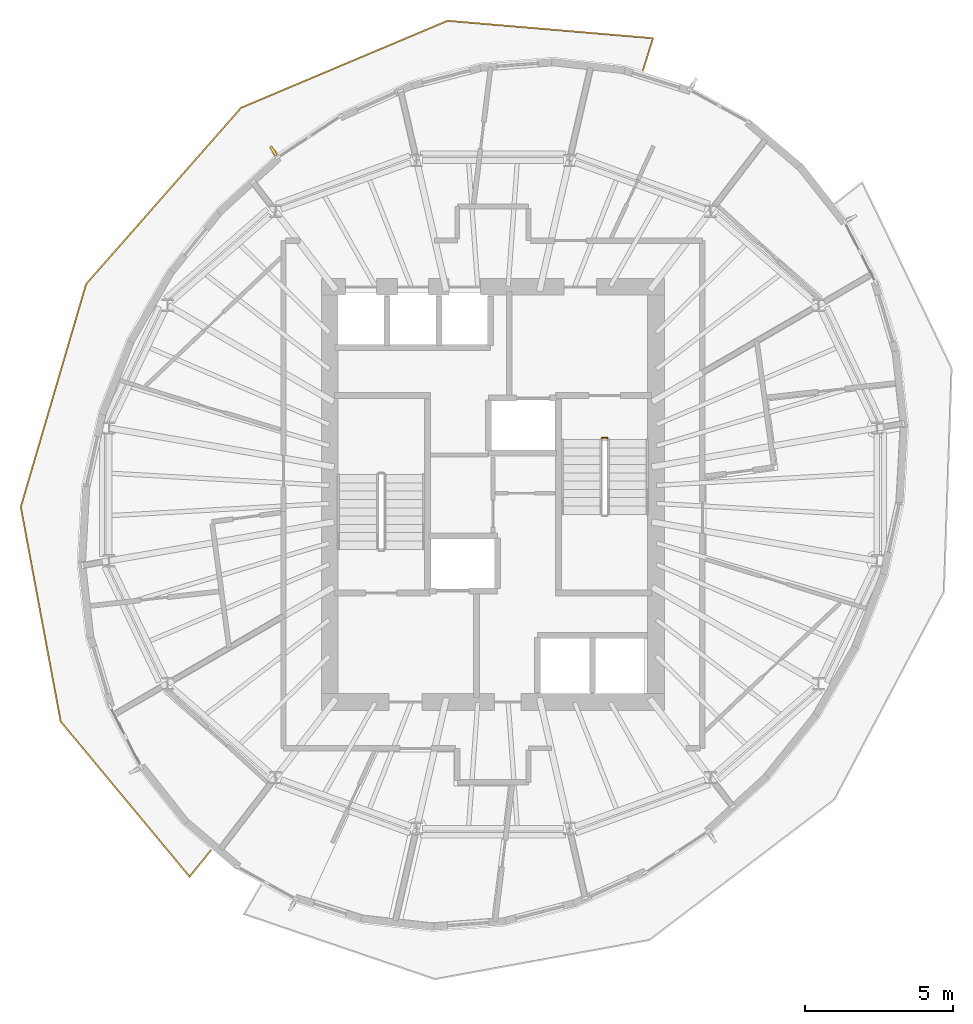
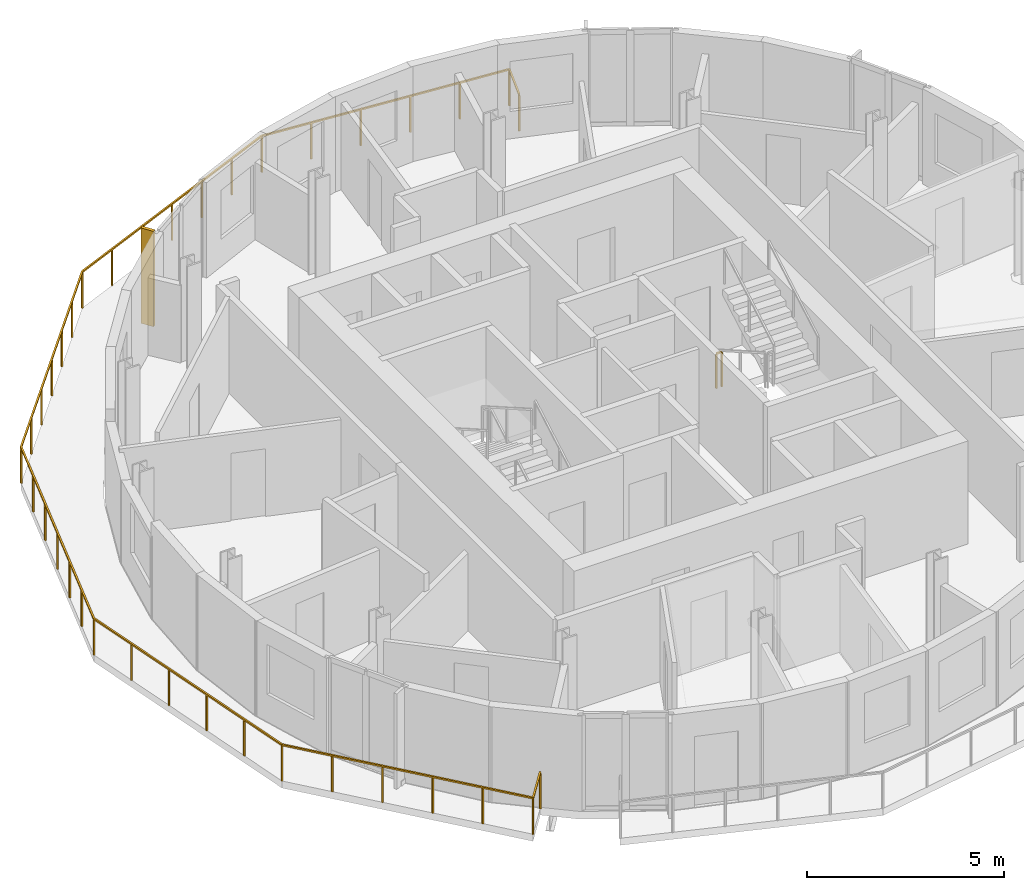
# One storey, part 10 of 11: 2 railings, 1 shading device.
"""IFC4 building model written with IfcOpenShell, lengths in metres."""

import ifcopenshell
import ifcopenshell.guid

model = None  # the IFC model being written
_history = None  # IfcOwnerHistory: only IFC2X3 demands one
_inside = {}  # id of a spatial element -> (the spatial element, [elements in it])
_under = {}  # id of a project, library or spatial element -> (it, [spatial elements below it])
_declared = {}  # id of a project -> (the project, [libraries it declares])
_typed = {}  # id of a type object -> (the type object, [elements of that type])
_made_of = {}  # id of a material, layer set ... -> (it, [elements and type objects made of it])


def new_model(schema):
    """Start an empty IFC model of exactly this schema.

    Asked for "IFC4X3", IfcOpenShell would pick the latest addendum, in which some entities
    have other attributes; the version numbers below select the first issue.
    IFC2X3 requires an IfcOwnerHistory on every rooted entity: one is made here for all.
    """
    global model, _history
    if schema == "IFC4X3":
        model = ifcopenshell.file(schema_version=(4, 3, 0, 0))
    else:
        model = ifcopenshell.file(schema=schema)
    _inside.clear()
    _under.clear()
    _declared.clear()
    _typed.clear()
    _made_of.clear()
    _history = None
    if model.schema == "IFC2X3":
        org = make("IfcOrganization", Name="unknown")
        user = make(
            "IfcPersonAndOrganization",
            ThePerson=make("IfcPerson", FamilyName="unknown"),
            TheOrganization=org,
        )
        app = make(
            "IfcApplication",
            ApplicationDeveloper=org,
            Version="unknown",
            ApplicationFullName="unknown",
            ApplicationIdentifier="unknown",
        )
        _history = make(
            "IfcOwnerHistory",
            OwningUser=user,
            OwningApplication=app,
            ChangeAction="ADDED",
            CreationDate=0,
        )
    return model


def make(cls, **values):
    """One entity of the class cls with the attributes given. An attribute that is None is left unset."""
    return model.create_entity(
        cls, **{name: value for name, value in values.items() if value is not None}
    )


def rooted(cls, **values):
    """An entity with a GlobalId (a new one), such as an element, a storey or a relation."""
    return make(cls, GlobalId=ifcopenshell.guid.new(), OwnerHistory=_history, **values)


def si_unit(unit_type, name, prefix=None):
    """IfcSIUnit, for example si_unit("LENGTHUNIT", "METRE", prefix="MILLI")."""
    return make("IfcSIUnit", UnitType=unit_type, Prefix=prefix, Name=name)


def assignment(units):
    """IfcUnitAssignment: the units of a project."""
    return None if units is None else make("IfcUnitAssignment", Units=units)


def point(xyz):
    """IfcCartesianPoint."""
    return None if xyz is None else make("IfcCartesianPoint", Coordinates=xyz)


def direction(xyz):
    """IfcDirection."""
    return None if xyz is None else make("IfcDirection", DirectionRatios=xyz)


def frame(location, z_axis=None, x_axis=None):
    """IfcAxis2Placement3D, a coordinate frame: its origin and axes. An axis left out is left unset."""
    return make(
        "IfcAxis2Placement3D",
        Location=point(location),
        Axis=direction(z_axis),
        RefDirection=direction(x_axis),
    )


def frame_2d(location, x_axis=None):
    """IfcAxis2Placement2D, a coordinate frame in the plane: its origin and x axis."""
    return make(
        "IfcAxis2Placement2D", Location=point(location), RefDirection=direction(x_axis)
    )


def origin():
    """The frame at (0, 0, 0) with its axes left unset."""
    return frame((0.0, 0.0, 0.0))


def origin_2d():
    """The frame at (0, 0) in the plane with its x axis left unset."""
    return frame_2d((0.0, 0.0))


def place(relative_to, where):
    """IfcLocalPlacement: puts the frame where relative to a parent placement (None: the world)."""
    return make(
        "IfcLocalPlacement", PlacementRelTo=relative_to, RelativePlacement=where
    )


def context(
    kind, dimensions, precision=None, world=None, true_north=None, identifier=None
):
    """IfcGeometricRepresentationContext, for example the 3D "Model" context."""
    return make(
        "IfcGeometricRepresentationContext",
        ContextIdentifier=identifier,
        ContextType=kind,
        CoordinateSpaceDimension=dimensions,
        Precision=precision,
        WorldCoordinateSystem=world,
        TrueNorth=true_north,
    )


def subcontext(parent, identifier, kind, view, scale=None):
    """IfcGeometricRepresentationSubContext, for example "Body" below "Model"."""
    return make(
        "IfcGeometricRepresentationSubContext",
        ContextIdentifier=identifier,
        ContextType=kind,
        ParentContext=parent,
        TargetScale=scale,
        TargetView=view,
    )


def project(units=None, contexts=None):
    """IfcProject with its units and contexts."""
    return rooted(
        "IfcProject",
        Name="project",
        RepresentationContexts=contexts,
        UnitsInContext=assignment(units),
    )


def spatial(cls, under=None, at=None, **own):
    """A site, building, storey or space (cls), placed at a placement, below another one or the project."""
    s = rooted(cls, ObjectPlacement=at, **own)
    if under is not None:
        _under.setdefault(under.id(), (under, []))[1].append(s)
    return s


def profile(cls, at=None, kind="AREA", **sizes):
    """A parametric profile (cls). Its sizes go by their IFC names, for example OverallWidth=200.0."""
    return make(cls, ProfileType=kind, Position=at, **sizes)


def rectangle(**sizes):
    """IfcRectangleProfileDef."""
    return profile("IfcRectangleProfileDef", **sizes)


def extrude(swept, where, along, depth):
    """IfcExtrudedAreaSolid: the profile swept, set in the frame where, extruded along a direction by depth."""
    return make(
        "IfcExtrudedAreaSolid",
        SweptArea=swept,
        Position=where,
        ExtrudedDirection=direction(along),
        Depth=depth,
    )


def shape(context_of_items, identifier, shape_type, items):
    """IfcShapeRepresentation: the items that make up one representation, for example the "Body"."""
    return make(
        "IfcShapeRepresentation",
        ContextOfItems=context_of_items,
        RepresentationIdentifier=identifier,
        RepresentationType=shape_type,
        Items=items,
    )


def material(Name=None, Category=None):
    """IfcMaterial."""
    return make("IfcMaterial", Name=Name, Category=Category)


def layer(
    of_material, thickness, ventilated=None, Name=None, Category=None, Priority=None
):
    """IfcMaterialLayer: one layer of a wall or slab, of a material (None: an air gap)."""
    return make(
        "IfcMaterialLayer",
        Material=of_material,
        LayerThickness=thickness,
        IsVentilated=ventilated,
        Name=Name,
        Category=Category,
        Priority=Priority,
    )


def layer_set(layers, Name=None):
    """IfcMaterialLayerSet."""
    return make("IfcMaterialLayerSet", MaterialLayers=layers, LayerSetName=Name)


def made_of(thing, what):
    """Note that an element or type object is made of a material, layer set ...; save() writes the relation."""
    if what is not None:
        _made_of.setdefault(what.id(), (what, []))[1].append(thing)
    return thing


def type_object(cls, material=None, **own):
    """A type object (cls), such as IfcWallType, which elements share."""
    return made_of(rooted(cls, **own), material)


def element(
    cls,
    number,
    at=None,
    inside=None,
    cuts=None,
    type_object=None,
    material=None,
    context=None,
    identifier="Body",
    shape_type=None,
    held_by="IfcProductDefinitionShape",
    body=None,
    shapes=None,
    **own,
):
    """One element of the class cls, such as IfcWall. Its Tag is "e" and its number.

    at: its placement. inside: the storey or other place that contains it. cuts: it is an
    opening in that element (IfcRelVoidsElement). A single representation is given by context,
    identifier, shape_type and body (its items); several are given by shapes. held_by: the class
    of the entity that holds the representations. save() writes the other relations.
    """
    e = rooted(cls, Tag="e%d" % number, ObjectPlacement=at, **own)
    if body is not None:
        shapes = [shape(context, identifier, shape_type, body)]
    if shapes is not None:
        e.Representation = make(held_by, Representations=shapes)
    if inside is not None:
        _inside.setdefault(inside.id(), (inside, []))[1].append(e)
    if cuts is not None:
        rooted(
            "IfcRelVoidsElement", RelatingBuildingElement=cuts, RelatedOpeningElement=e
        )
    if type_object is not None:
        _typed.setdefault(type_object.id(), (type_object, []))[1].append(e)
    return made_of(e, material)


def aggregate(whole, parts):
    """IfcRelAggregates: a whole, such as a stair, and the parts it consists of."""
    return rooted("IfcRelAggregates", RelatingObject=whole, RelatedObjects=parts)


def save(model, path):
    """Write the relations noted so far, then the file.

    IfcRelAggregates (storeys below a building ...), IfcRelContainedInSpatialStructure (elements
    in a storey), IfcRelDefinesByType, IfcRelAssociatesMaterial and IfcRelDeclares: one each for
    every whole, place, type object, material and project.
    """
    for whole, parts in _under.values():
        aggregate(whole, parts)
    for where, things in _inside.values():
        rooted(
            "IfcRelContainedInSpatialStructure",
            RelatedElements=things,
            RelatingStructure=where,
        )
    for kind, things in _typed.values():
        rooted("IfcRelDefinesByType", RelatedObjects=things, RelatingType=kind)
    for what, things in _made_of.values():
        rooted("IfcRelAssociatesMaterial", RelatedObjects=things, RelatingMaterial=what)
    for by, libraries in _declared.values():
        rooted("IfcRelDeclares", RelatingContext=by, RelatedDefinitions=libraries)
    model.write(path)


model = new_model("IFC4")

# Units and contexts
model_context = context("Model", 3, precision=1e-05, world=origin(), true_north=direction((0.0, 1.0)))
body_context = subcontext(model_context, "Body", "Model", "MODEL_VIEW")
ifc_project = project(units=[si_unit("LENGTHUNIT", "METRE"), si_unit("AREAUNIT", "SQUARE_METRE"), si_unit("VOLUMEUNIT", "CUBIC_METRE"), si_unit("PLANEANGLEUNIT", "RADIAN"), si_unit("MASSUNIT", "GRAM", prefix="KILO")], contexts=[model_context])

# Site, building, storey
site_placement = place(None, origin())
site = spatial("IfcSite", under=ifc_project, at=site_placement, CompositionType="ELEMENT")
building_placement = place(site_placement, origin())
building = spatial("IfcBuilding", under=site, at=building_placement, Name="Veldorim Arch Residences", CompositionType="ELEMENT")
storey_placement = place(building_placement, frame((0.0, 0.0, 223.840087890625)))
storey = spatial("IfcBuildingStorey", under=building, at=storey_placement, Name="L67", CompositionType="ELEMENT", Elevation=223.840087890625)

# Railings
ifc_material_1 = material(Name="Aluminium", Category="aluminium")
railing_type_1 = type_object("IfcRailingType", Name="Balcony & Terrace Laminated Glass Balustrade 1150", PredefinedType="BALUSTRADE", material=ifc_material_1)
railing_1_placement = place(storey_placement, frame((37.05712890625, 38.286865234375, 0.0)))
element("IfcRailing", 1, at=railing_1_placement, inside=storey, type_object=railing_type_1, Name="L67 crescent balcony safety balustrade A", PredefinedType="BALUSTRADE", context=body_context, shape_type="SweptSolid", body=[
    extrude(rectangle(XDim=0.048095703125, YDim=0.048095703125, at=origin_2d()), frame((0.0, 0.0, 1.1259765625), z_axis=(0.298274993136, 0.954479978035, 0.0), x_axis=(-0.954479978035, 0.298274993136, 0.0)), (0.0, 0.0, 1.0), 1.14990234375),
    extrude(rectangle(XDim=0.048095703125, YDim=0.048095703125, at=origin_2d()), frame((0.343017578125, 1.09765625, 1.1259765625), z_axis=(-0.996398511951, 0.084793899432, 0.0), x_axis=(-0.084793899432, -0.996398511951, 0.0)), (0.0, 0.0, 1.0), 6.956298828125),
    extrude(rectangle(XDim=0.048095703125, YDim=0.048095703125, at=origin_2d()), frame((-6.588134765625, 1.6875, 1.1259765625), z_axis=(-0.921610434895, -0.388116227815, 0.0), x_axis=(0.388116227815, -0.921610434895, 0.0)), (0.0, 0.0, 1.0), 7.555419921875),
    extrude(rectangle(XDim=0.048095703125, YDim=0.048095703125, at=origin_2d()), frame((-13.55126953125, -1.244873046875, 1.1259765625), z_axis=(-0.660087723453, -0.751188523173, 0.0), x_axis=(0.751188523173, -0.660087723453, 0.0)), (0.0, 0.0, 1.0), 7.919189453125),
    extrude(rectangle(XDim=0.048095703125, YDim=0.048095703125, at=origin_2d()), frame((-18.778564453125, -7.193603515625, 1.1259765625), z_axis=(-0.281281819309, -0.959625207113, 0.0), x_axis=(0.959625207113, -0.281281819309, 0.0)), (0.0, 0.0, 1.0), 7.83154296875),
    extrude(rectangle(XDim=0.048095703125, YDim=0.048095703125, at=origin_2d()), frame((-20.9814453125, -14.708984375, 1.1259765625), z_axis=(0.18281765772, -0.983146837469, 0.0), x_axis=(0.983146837469, 0.18281765772, 0.0)), (0.0, 0.0, 1.0), 7.35693359375),
    extrude(rectangle(XDim=0.048095703125, YDim=0.048095703125, at=origin_2d()), frame((-19.636474609375, -21.94189453125, 1.1259765625), z_axis=(0.638793821761, -0.769377965164, 0.0), x_axis=(0.769377965164, 0.638793821761, 0.0)), (0.0, 0.0, 1.0), 6.80908203125),
    extrude(rectangle(XDim=0.048095703125, YDim=0.048095703125, at=origin_2d()), frame((-15.286865234375, -27.1806640625, 1.1259765625), z_axis=(0.62877677266, 0.777585860316, 0.0), x_axis=(-0.777585860316, 0.62877677266, 0.0)), (0.0, 0.0, 1.0), 1.150146484375),
    extrude(rectangle(XDim=0.0419921875, YDim=0.0419921875, at=origin_2d()), origin(), (0.0, 0.0, 1.0), 1.101806640625),
    extrude(rectangle(XDim=0.0419921875, YDim=0.0419921875, at=origin_2d()), frame((0.343017578125, 1.09765625, 0.0)), (0.0, 0.0, 1.0), 1.101806640625),
    extrude(rectangle(XDim=0.0419921875, YDim=0.0419921875, at=origin_2d()), frame((-1.043212890625, 1.215576171875, 0.0)), (0.0, 0.0, 1.0), 1.101806640625),
    extrude(rectangle(XDim=0.0419921875, YDim=0.0419921875, at=origin_2d()), frame((-2.429443359375, 1.33349609375, 0.0)), (0.0, 0.0, 1.0), 1.101806640625),
    extrude(rectangle(XDim=0.0419921875, YDim=0.0419921875, at=origin_2d()), frame((-3.815673828125, 1.45166015625, 0.0)), (0.0, 0.0, 1.0), 1.101806640625),
    extrude(rectangle(XDim=0.0419921875, YDim=0.0419921875, at=origin_2d()), frame((-5.201904296875, 1.569580078125, 0.0)), (0.0, 0.0, 1.0), 1.101806640625),
    extrude(rectangle(XDim=0.0419921875, YDim=0.0419921875, at=origin_2d()), frame((-6.588134765625, 1.6875, 0.0)), (0.0, 0.0, 1.0), 1.101806640625),
    extrude(rectangle(XDim=0.0419921875, YDim=0.0419921875, at=origin_2d()), frame((-7.74853515625, 1.19873046875, 0.0)), (0.0, 0.0, 1.0), 1.101806640625),
    extrude(rectangle(XDim=0.0419921875, YDim=0.0419921875, at=origin_2d()), frame((-8.9091796875, 0.7099609375, 0.0)), (0.0, 0.0, 1.0), 1.101806640625),
    extrude(rectangle(XDim=0.0419921875, YDim=0.0419921875, at=origin_2d()), frame((-10.06982421875, 0.22119140625, 0.0)), (0.0, 0.0, 1.0), 1.101806640625),
    extrude(rectangle(XDim=0.0419921875, YDim=0.0419921875, at=origin_2d()), frame((-11.230224609375, -0.267333984375, 0.0)), (0.0, 0.0, 1.0), 1.101806640625),
    extrude(rectangle(XDim=0.0419921875, YDim=0.0419921875, at=origin_2d()), frame((-12.390625, -0.756103515625, 0.0)), (0.0, 0.0, 1.0), 1.101806640625),
    extrude(rectangle(XDim=0.0419921875, YDim=0.0419921875, at=origin_2d()), frame((-13.55126953125, -1.244873046875, 0.0)), (0.0, 0.0, 1.0), 1.101806640625),
    extrude(rectangle(XDim=0.0419921875, YDim=0.0419921875, at=origin_2d()), frame((-14.42236328125, -2.236328125, 0.0)), (0.0, 0.0, 1.0), 1.101806640625),
    extrude(rectangle(XDim=0.0419921875, YDim=0.0419921875, at=origin_2d()), frame((-15.293701171875, -3.227783203125, 0.0)), (0.0, 0.0, 1.0), 1.101806640625),
    extrude(rectangle(XDim=0.0419921875, YDim=0.0419921875, at=origin_2d()), frame((-16.1650390625, -4.21923828125, 0.0)), (0.0, 0.0, 1.0), 1.101806640625),
    extrude(rectangle(XDim=0.0419921875, YDim=0.0419921875, at=origin_2d()), frame((-17.0361328125, -5.210693359375, 0.0)), (0.0, 0.0, 1.0), 1.101806640625),
    extrude(rectangle(XDim=0.0419921875, YDim=0.0419921875, at=origin_2d()), frame((-17.9072265625, -6.2021484375, 0.0)), (0.0, 0.0, 1.0), 1.101806640625),
    extrude(rectangle(XDim=0.0419921875, YDim=0.0419921875, at=origin_2d()), frame((-18.778564453125, -7.193603515625, 0.0)), (0.0, 0.0, 1.0), 1.101806640625),
    extrude(rectangle(XDim=0.0419921875, YDim=0.0419921875, at=origin_2d()), frame((-19.145751953125, -8.4462890625, 0.0)), (0.0, 0.0, 1.0), 1.101806640625),
    extrude(rectangle(XDim=0.0419921875, YDim=0.0419921875, at=origin_2d()), frame((-19.512939453125, -9.69873046875, 0.0)), (0.0, 0.0, 1.0), 1.101806640625),
    extrude(rectangle(XDim=0.0419921875, YDim=0.0419921875, at=origin_2d()), frame((-19.8798828125, -10.951171875, 0.0)), (0.0, 0.0, 1.0), 1.101806640625),
    extrude(rectangle(XDim=0.0419921875, YDim=0.0419921875, at=origin_2d()), frame((-20.2470703125, -12.203857421875, 0.0)), (0.0, 0.0, 1.0), 1.101806640625),
    extrude(rectangle(XDim=0.0419921875, YDim=0.0419921875, at=origin_2d()), frame((-20.6142578125, -13.45654296875, 0.0)), (0.0, 0.0, 1.0), 1.101806640625),
    extrude(rectangle(XDim=0.0419921875, YDim=0.0419921875, at=origin_2d()), frame((-20.9814453125, -14.708984375, 0.0)), (0.0, 0.0, 1.0), 1.101806640625),
    extrude(rectangle(XDim=0.0419921875, YDim=0.0419921875, at=origin_2d()), frame((-20.71240234375, -16.155517578125, 0.0)), (0.0, 0.0, 1.0), 1.101806640625),
    extrude(rectangle(XDim=0.0419921875, YDim=0.0419921875, at=origin_2d()), frame((-20.443359375, -17.60205078125, 0.0)), (0.0, 0.0, 1.0), 1.101806640625),
    extrude(rectangle(XDim=0.0419921875, YDim=0.0419921875, at=origin_2d()), frame((-20.174560546875, -19.048828125, 0.0)), (0.0, 0.0, 1.0), 1.101806640625),
    extrude(rectangle(XDim=0.0419921875, YDim=0.0419921875, at=origin_2d()), frame((-19.905517578125, -20.495361328125, 0.0)), (0.0, 0.0, 1.0), 1.101806640625),
    extrude(rectangle(XDim=0.0419921875, YDim=0.0419921875, at=origin_2d()), frame((-19.636474609375, -21.94189453125, 0.0)), (0.0, 0.0, 1.0), 1.101806640625),
    extrude(rectangle(XDim=0.0419921875, YDim=0.0419921875, at=origin_2d()), frame((-18.7666015625, -22.98974609375, 0.0)), (0.0, 0.0, 1.0), 1.101806640625),
    extrude(rectangle(XDim=0.0419921875, YDim=0.0419921875, at=origin_2d()), frame((-17.896728515625, -24.037353515625, 0.0)), (0.0, 0.0, 1.0), 1.101806640625),
    extrude(rectangle(XDim=0.0419921875, YDim=0.0419921875, at=origin_2d()), frame((-17.026611328125, -25.085205078125, 0.0)), (0.0, 0.0, 1.0), 1.101806640625),
    extrude(rectangle(XDim=0.0419921875, YDim=0.0419921875, at=origin_2d()), frame((-16.15673828125, -26.1328125, 0.0)), (0.0, 0.0, 1.0), 1.101806640625),
    extrude(rectangle(XDim=0.0419921875, YDim=0.0419921875, at=origin_2d()), frame((-15.286865234375, -27.1806640625, 0.0)), (0.0, 0.0, 1.0), 1.101806640625),
    extrude(rectangle(XDim=0.0419921875, YDim=0.0419921875, at=origin_2d()), frame((-14.563720703125, -26.286376953125, 0.0)), (0.0, 0.0, 1.0), 1.101806640625),
])
ifc_material_2 = material(Name="Steel S355", Category="steel")
railing_type_2 = type_object("IfcRailingType", Name="Galvanised Steel Stair Safety Guardrail 1100", PredefinedType="GUARDRAIL", material=ifc_material_2)
railing_2_placement = place(storey_placement, frame((35.68994140625, 25.89990234375, 0.0)))
element("IfcRailing", 2, at=railing_2_placement, inside=storey, type_object=railing_type_2, Name="L67 ST-2 stair guard 4", PredefinedType="GUARDRAIL", context=body_context, shape_type="SweptSolid", body=[
    extrude(rectangle(XDim=0.048095703125, YDim=0.048095703125, at=origin_2d()), frame((0.0, 0.0, 1.076171875), z_axis=(1.0, 0.0, 0.0), x_axis=(0.0, 1.0, 0.0)), (0.0, 0.0, 1.0), 0.16015625),
    extrude(rectangle(XDim=0.0419921875, YDim=0.0419921875, at=origin_2d()), origin(), (0.0, 0.0, 1.0), 1.052001953125),
    extrude(rectangle(XDim=0.0419921875, YDim=0.0419921875, at=origin_2d()), frame((0.16015625, 0.0, 0.0)), (0.0, 0.0, 1.0), 1.052001953125),
])

# Shading device
ifc_material_3 = material(Name="Terracotta Ceramic", Category="masonry")
ifc_layer = layer(ifc_material_3, 0.090087890625, Name="Vertical Extruded Terracotta Baguette Sun-Shading Fin")
ifc_layer_set = layer_set([ifc_layer], Name="Terracotta Ceramic")
shading_device_type = type_object("IfcShadingDeviceType", Name="Vertical Extruded Terracotta Baguette Sun-Shading Fin", PredefinedType="USERDEFINED", material=ifc_layer_set)
shading_device_placement = place(storey_placement, frame((24.59521484375, 35.58837890625, 0.0), z_axis=(0.0, 0.0, 1.0), x_axis=(0.835135979853, 0.550043539327, 0.0)))
element("IfcShadingDevice", 3, at=shading_device_placement, inside=storey, type_object=shading_device_type, Name="L67 vertical terracotta sun-shading fin 07", ObjectType="FIN", PredefinedType="USERDEFINED", context=body_context, shape_type="SweptSolid", body=[
    extrude(rectangle(XDim=0.090087890625, YDim=0.360107421875, at=origin_2d()), origin(), (0.0, 0.0, 1.0), 2.9599609375),
])

save(model, "model.ifc")
